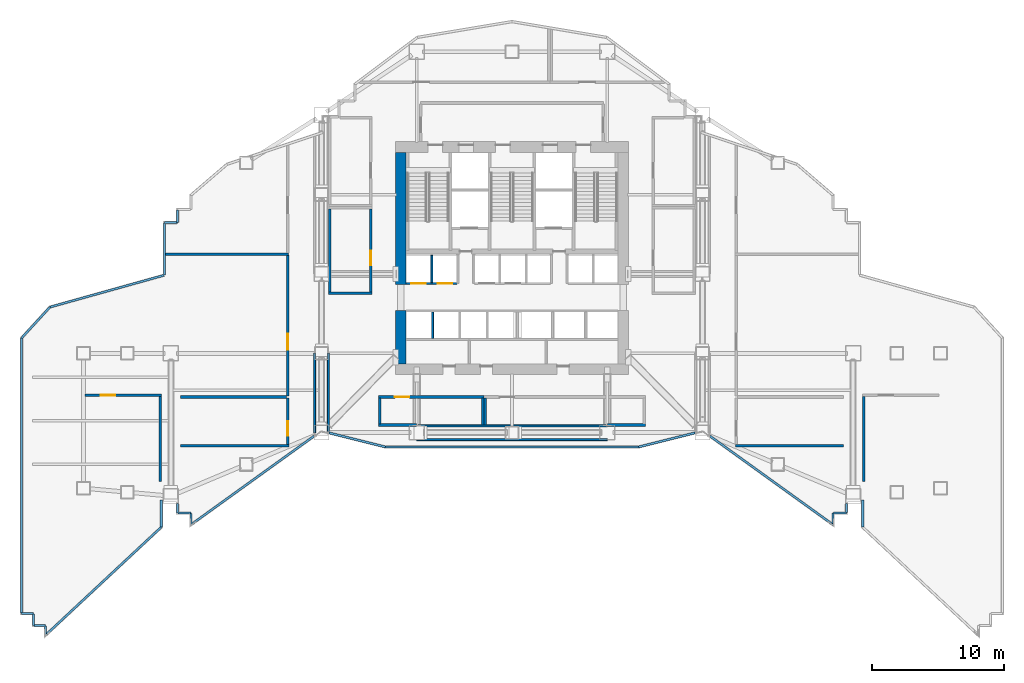
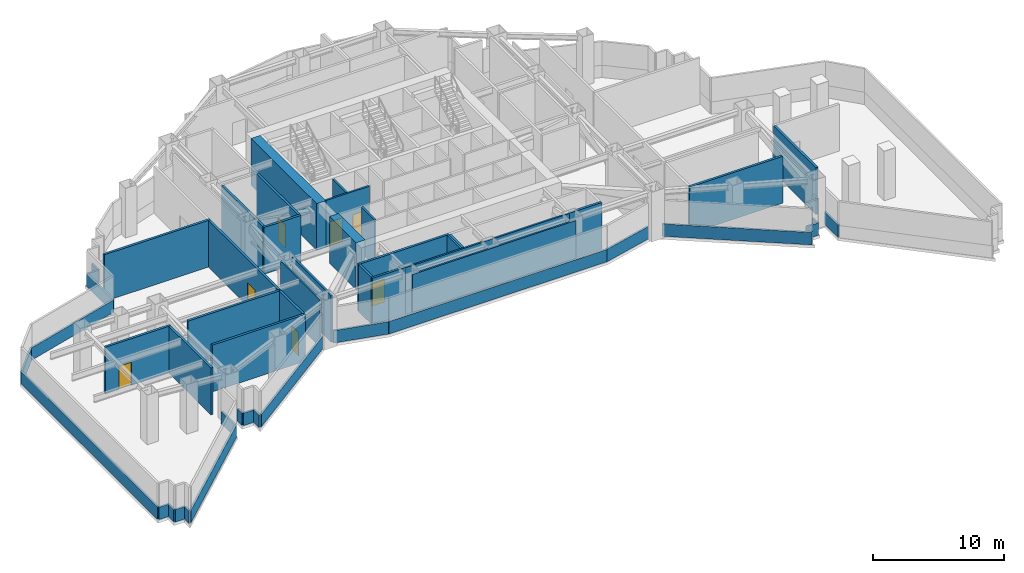
# One storey, part 13 of 23: 51 walls, 7 doors, 7 openings.
"""IFC4 building model written with IfcOpenShell, lengths in metres."""

from ifc_helpers import new_model, si_unit, direction, frame, frame_2d, origin, place, context, subcontext, project, spatial, rectangle, extrude, material, layer, layer_set, type_object, element, fill, save


model = new_model("IFC4")

# Units and contexts
model_context = context("Model", 3, precision=1e-05, world=origin(), true_north=direction((0.0, 1.0)))
body_context = subcontext(model_context, "Body", "Model", "MODEL_VIEW")
ifc_project = project(units=[si_unit("LENGTHUNIT", "METRE"), si_unit("AREAUNIT", "SQUARE_METRE"), si_unit("VOLUMEUNIT", "CUBIC_METRE"), si_unit("PLANEANGLEUNIT", "RADIAN"), si_unit("MASSUNIT", "GRAM", prefix="KILO")], contexts=[model_context])

# Site, building, storey
site_placement = place(None, origin())
site = spatial("IfcSite", under=ifc_project, at=site_placement, CompositionType="ELEMENT")
building_placement = place(site_placement, origin())
building = spatial("IfcBuilding", under=site, at=building_placement, Name="Haolan Belvedere Tower", CompositionType="ELEMENT")
storey_placement = place(building_placement, frame((0.0, 0.0, 89.39990234375)))
storey = spatial("IfcBuildingStorey", under=building, at=storey_placement, Name="L22", CompositionType="ELEMENT", Elevation=89.39990234375)

# Walls
ifc_material_1 = material(Name="Concrete C70/85", Category="concrete")
ifc_layer_1 = layer(ifc_material_1, 0.800048828125, Name="Concrete C70/85")
ifc_layer_set_1 = layer_set([ifc_layer_1], Name="Concrete C70/85")
wall_type_1 = type_object("IfcWallType", Name="WL-CORE-800", PredefinedType="SHEAR", material=ifc_layer_set_1)
wall_1_placement = place(storey_placement, frame((30.0, 26.800048828125, 0.0), z_axis=(0.0, 0.0, 1.0), x_axis=(0.0, 1.0, 0.0)))
element("IfcWall", 1, at=wall_1_placement, inside=storey, type_object=wall_type_1, Name="L22 central core shear wall WS", PredefinedType="SHEAR", context=body_context, shape_type="SweptSolid", body=[
    extrude(rectangle(XDim=4.050048828125, YDim=0.800048828125, at=frame_2d((2.02490234375, 0.0))), origin(), (0.0, 0.0, 1.0), 4.35009765625),
])
wall_2_placement = place(storey_placement, frame((30.0, 32.800048828125, 0.0), z_axis=(0.0, 0.0, 1.0), x_axis=(0.0, 1.0, 0.0)))
element("IfcWall", 2, at=wall_2_placement, inside=storey, type_object=wall_type_1, Name="L22 central core shear wall WN", PredefinedType="SHEAR", context=body_context, shape_type="SweptSolid", body=[
    extrude(rectangle(XDim=10.0, YDim=0.800048828125, at=frame_2d((5.0, 0.0))), origin(), (0.0, 0.0, 1.0), 4.35009765625),
])
ifc_material_2 = material(Name="Concrete C40/50", Category="concrete")
ifc_layer_2 = layer(ifc_material_2, 0.199951171875, Name="Concrete C40/50")
ifc_layer_set_2 = layer_set([ifc_layer_2], Name="Concrete C40/50")
wall_type_2 = type_object("IfcWallType", Name="WL-FIRE-200", PredefinedType="SOLIDWALL", material=ifc_layer_set_2)
wall_3_placement = place(storey_placement, frame((12.2119140625, 35.10009765625, 0.0), z_axis=(0.0, 0.0, 1.0), x_axis=(1.0, 0.0, 0.0)))
element("IfcWall", 3, at=wall_3_placement, inside=storey, type_object=wall_type_2, Name="L22 interior partition IW-L22-REF-W1-N", PredefinedType="SOLIDWALL", context=body_context, shape_type="SweptSolid", body=[
    extrude(rectangle(XDim=9.30810546875, YDim=0.199951171875, at=frame_2d((4.654052734375, 0.0))), origin(), (0.0, 0.0, 1.0), 4.35009765625),
])

# Wall, opening, door
wall_4_placement = place(storey_placement, frame((21.43994140625, 24.3701171875, 0.0), z_axis=(0.0, 0.0, 1.0), x_axis=(0.0, 1.0, 0.0)))
wall_4 = element("IfcWall", 4, at=wall_4_placement, inside=storey, type_object=wall_type_2, Name="L22 interior partition IW-L22-REF-W1-E", PredefinedType="SOLIDWALL", context=body_context, shape_type="SweptSolid", body=[
    extrude(rectangle(XDim=10.644775390625, YDim=0.199951171875, at=frame_2d((5.322265625, 0.0))), origin(), (0.0, 0.0, 1.0), 4.35009765625),
])
opening_1_placement = place(wall_4_placement, frame((4.699951171875, 0.0, 0.0), z_axis=(0.0, 0.0, 1.0), x_axis=(-1.0, 0.0, 0.0)))
opening_1 = element("IfcOpeningElement", 5, at=opening_1_placement, cuts=wall_4, Name="Opening FD-02", PredefinedType="OPENING", context=body_context, shape_type="SweptSolid", body=[
    extrude(rectangle(XDim=1.199951171875, YDim=2.14990234375, at=frame_2d((0.60009765625, 1.074951171875))), frame((0.0, 0.10986328125, 0.0), z_axis=(0.0, -1.0, 0.0), x_axis=(1.0, 0.0, 0.0)), (0.0, 0.0, 1.0), 0.219970703125),
])
ifc_material_3 = material(Name="Galvanised fire-rated steel", Category="steel")
door_type_1 = type_object("IfcDoorType", Name="DR-FD90-1200", OperationType="NOTDEFINED", PredefinedType="DOOR", material=ifc_material_3)
door_1_placement = place(opening_1_placement, origin())
door_1 = element("IfcDoor", 6, at=door_1_placement, inside=storey, type_object=door_type_1, Name="L22 door ID-L22-REF-W1", OperationType="SINGLE_SWING_LEFT", OverallHeight=2.14990234375, OverallWidth=1.199951171875, PredefinedType="DOOR", context=body_context, shape_type="SweptSolid", body=[
    extrude(rectangle(XDim=1.199951171875, YDim=2.14990234375, at=frame_2d((0.60009765625, 1.074951171875))), frame((0.0, 0.02490234375, 0.0), z_axis=(0.0, -1.0, 0.0), x_axis=(1.0, 0.0, 0.0)), (0.0, 0.0, 1.0), 0.050048828125),
])
fill(opening_1, door_1)

# Walls
wall_5_placement = place(storey_placement, frame((24.5400390625, 32.14990234375, 0.0), z_axis=(0.0, 0.0, 1.0), x_axis=(1.0, 0.0, 0.0)))
element("IfcWall", 7, at=wall_5_placement, inside=storey, type_object=wall_type_2, Name="L22 interior partition IW-L22-REF-WI1-S", PredefinedType="SOLIDWALL", context=body_context, shape_type="SweptSolid", body=[
    extrude(rectangle(XDim=3.260009765625, YDim=0.199951171875, at=frame_2d((1.6298828125, 0.0))), origin(), (0.0, 0.0, 1.0), 4.35009765625),
])
wall_6_placement = place(storey_placement, frame((24.6201171875, 32.235107421875, 0.0), z_axis=(0.0, 0.0, 1.0), x_axis=(0.0, 1.0, 0.0)))
element("IfcWall", 8, at=wall_6_placement, inside=storey, type_object=wall_type_2, Name="L22 interior partition IW-L22-REF-WI1-W", PredefinedType="SOLIDWALL", context=body_context, shape_type="SweptSolid", body=[
    extrude(rectangle(XDim=6.27978515625, YDim=0.199951171875, at=frame_2d((3.139892578125, 0.0))), origin(), (0.0, 0.0, 1.0), 4.35009765625),
])

# Wall, opening, door
wall_7_placement = place(storey_placement, frame((27.719970703125, 32.235107421875, 0.0), z_axis=(0.0, 0.0, 1.0), x_axis=(0.0, 1.0, 0.0)))
wall_7 = element("IfcWall", 9, at=wall_7_placement, inside=storey, type_object=wall_type_2, Name="L22 interior partition IW-L22-REF-WI1-E", PredefinedType="SOLIDWALL", context=body_context, shape_type="SweptSolid", body=[
    extrude(rectangle(XDim=6.27978515625, YDim=0.199951171875, at=frame_2d((3.139892578125, 0.0))), origin(), (0.0, 0.0, 1.0), 4.35009765625),
])
opening_2_placement = place(wall_7_placement, frame((3.135009765625, 0.0, 0.0), z_axis=(0.0, 0.0, 1.0), x_axis=(-1.0, 0.0, 0.0)))
opening_2 = element("IfcOpeningElement", 10, at=opening_2_placement, cuts=wall_7, Name="Opening FD-03", PredefinedType="OPENING", context=body_context, shape_type="SweptSolid", body=[
    extrude(rectangle(XDim=1.10009765625, YDim=2.14990234375, at=frame_2d((0.550048828125, 1.074951171875))), frame((0.0, 0.10986328125, 0.0), z_axis=(0.0, -1.0, 0.0), x_axis=(1.0, 0.0, 0.0)), (0.0, 0.0, 1.0), 0.219970703125),
])
door_type_2 = type_object("IfcDoorType", Name="DR-FD90-1100", OperationType="NOTDEFINED", PredefinedType="DOOR", material=ifc_material_3)
door_2_placement = place(opening_2_placement, origin())
door_2 = element("IfcDoor", 11, at=door_2_placement, inside=storey, type_object=door_type_2, Name="L22 door ID-L22-REF-WI1", OperationType="SINGLE_SWING_LEFT", OverallHeight=2.14990234375, OverallWidth=1.10009765625, PredefinedType="DOOR", context=body_context, shape_type="SweptSolid", body=[
    extrude(rectangle(XDim=1.10009765625, YDim=2.14990234375, at=frame_2d((0.550048828125, 1.074951171875))), frame((0.0, 0.02490234375, 0.0), z_axis=(0.0, -1.0, 0.0), x_axis=(1.0, 0.0, 0.0)), (0.0, 0.0, 1.0), 0.050048828125),
])
fill(opening_2, door_2)

wall_8_placement = place(storey_placement, frame((28.320068359375, 24.300048828125, 0.0), z_axis=(0.0, 0.0, 1.0), x_axis=(1.0, 0.0, 0.0)))
wall_8 = element("IfcWall", 12, at=wall_8_placement, inside=storey, type_object=wall_type_2, Name="L22 interior partition IW-L22-PLT-AHU-N", PredefinedType="SOLIDWALL", context=body_context, shape_type="SweptSolid", body=[
    extrude(rectangle(XDim=7.9599609375, YDim=0.199951171875, at=frame_2d((3.97998046875, 0.0))), origin(), (0.0, 0.0, 1.0), 4.35009765625),
])
opening_3_placement = place(wall_8_placement, frame((2.320556640625, 0.0, 0.0), z_axis=(0.0, 0.0, 1.0), x_axis=(-1.0, 0.0, 0.0)))
opening_3 = element("IfcOpeningElement", 13, at=opening_3_placement, cuts=wall_8, Name="Opening FD-03", PredefinedType="OPENING", context=body_context, shape_type="SweptSolid", body=[
    extrude(rectangle(XDim=1.10009765625, YDim=2.14990234375, at=frame_2d((0.550048828125, 1.074951171875))), frame((0.0, 0.10986328125, 0.0), z_axis=(0.0, -1.0, 0.0), x_axis=(1.0, 0.0, 0.0)), (0.0, 0.0, 1.0), 0.219970703125),
])
door_3_placement = place(opening_3_placement, origin())
door_3 = element("IfcDoor", 14, at=door_3_placement, inside=storey, type_object=door_type_2, Name="L22 door ID-L22-PLT-AHU", OperationType="SINGLE_SWING_LEFT", OverallHeight=2.14990234375, OverallWidth=1.10009765625, PredefinedType="DOOR", context=body_context, shape_type="SweptSolid", body=[
    extrude(rectangle(XDim=1.10009765625, YDim=2.14990234375, at=frame_2d((0.550048828125, 1.074951171875))), frame((0.0, 0.02490234375, 0.0), z_axis=(0.0, -1.0, 0.0), x_axis=(1.0, 0.0, 0.0)), (0.0, 0.0, 1.0), 0.050048828125),
])
fill(opening_3, door_3)

# Walls
wall_9_placement = place(storey_placement, frame((28.320068359375, 22.179931640625, 0.0), z_axis=(0.0, 0.0, 1.0), x_axis=(1.0, 0.0, 0.0)))
element("IfcWall", 15, at=wall_9_placement, inside=storey, type_object=wall_type_2, Name="L22 interior partition IW-L22-PLT-AHU-S", PredefinedType="SOLIDWALL", context=body_context, shape_type="SweptSolid", body=[
    extrude(rectangle(XDim=2.8779296875, YDim=0.199951171875, at=frame_2d((1.43896484375, 0.0))), origin(), (0.0, 0.0, 1.0), 4.35009765625),
])
wall_10_placement = place(storey_placement, frame((28.39990234375, 22.264892578125, 0.0), z_axis=(0.0, 0.0, 1.0), x_axis=(0.0, 1.0, 0.0)))
element("IfcWall", 16, at=wall_10_placement, inside=storey, type_object=wall_type_2, Name="L22 interior partition IW-L22-PLT-AHU-W", PredefinedType="SOLIDWALL", context=body_context, shape_type="SweptSolid", body=[
    extrude(rectangle(XDim=1.9501953125, YDim=0.199951171875, at=frame_2d((0.97509765625, 0.0))), origin(), (0.0, 0.0, 1.0), 4.35009765625),
])
wall_11_placement = place(storey_placement, frame((36.199951171875, 22.179931640625, 0.0), z_axis=(0.0, 0.0, 1.0), x_axis=(0.0, 1.0, 0.0)))
element("IfcWall", 17, at=wall_11_placement, inside=storey, type_object=wall_type_2, Name="L22 interior partition IW-L22-PLT-AHU-E", PredefinedType="SOLIDWALL", context=body_context, shape_type="SweptSolid", body=[
    extrude(rectangle(XDim=2.03515625, YDim=0.199951171875, at=frame_2d((1.017578125, 0.0))), origin(), (0.0, 0.0, 1.0), 4.35009765625),
])
wall_12_placement = place(storey_placement, frame((45.60205078125, 22.179931640625, 0.0), z_axis=(0.0, 0.0, 1.0), x_axis=(1.0, 0.0, 0.0)))
element("IfcWall", 18, at=wall_12_placement, inside=storey, type_object=wall_type_2, Name="L22 interior partition IW-L22-PLT-CHW-S", PredefinedType="SOLIDWALL", context=body_context, shape_type="SweptSolid", body=[
    extrude(rectangle(XDim=2.8779296875, YDim=0.199951171875, at=frame_2d((1.43896484375, 0.0))), origin(), (0.0, 0.0, 1.0), 4.35009765625),
])
wall_13_placement = place(storey_placement, frame((36.360107421875, 22.179931640625, 0.0), z_axis=(0.0, 0.0, 1.0), x_axis=(0.0, 1.0, 0.0)))
element("IfcWall", 19, at=wall_13_placement, inside=storey, type_object=wall_type_2, Name="L22 interior partition IW-L22-PLT-CHW-W", PredefinedType="SOLIDWALL", context=body_context, shape_type="SweptSolid", body=[
    extrude(rectangle(XDim=2.03515625, YDim=0.199951171875, at=frame_2d((1.017578125, 0.0))), origin(), (0.0, 0.0, 1.0), 4.35009765625),
])
wall_14_placement = place(storey_placement, frame((13.320068359375, 24.2900390625, 0.0), z_axis=(0.0, 0.0, 1.0), x_axis=(1.0, 0.0, 0.0)))
element("IfcWall", 20, at=wall_14_placement, inside=storey, type_object=wall_type_2, Name="L22 interior partition IW-L22-PLT-SUB-N", PredefinedType="SOLIDWALL", context=body_context, shape_type="SweptSolid", body=[
    extrude(rectangle(XDim=8.034912109375, YDim=0.199951171875, at=frame_2d((4.017578125, 0.0))), origin(), (0.0, 0.0, 1.0), 4.35009765625),
])
wall_15_placement = place(storey_placement, frame((13.320068359375, 20.60009765625, 0.0), z_axis=(0.0, 0.0, 1.0), x_axis=(1.0, 0.0, 0.0)))
element("IfcWall", 21, at=wall_15_placement, inside=storey, type_object=wall_type_2, Name="L22 interior partition IW-L22-PLT-SUB-S", PredefinedType="SOLIDWALL", context=body_context, shape_type="SweptSolid", body=[
    extrude(rectangle(XDim=8.199951171875, YDim=0.199951171875, at=frame_2d((4.10009765625, 0.0))), origin(), (0.0, 0.0, 1.0), 4.35009765625),
])

# Wall, opening, door
wall_16_placement = place(storey_placement, frame((21.43994140625, 20.68505859375, 0.0), z_axis=(0.0, 0.0, 1.0), x_axis=(0.0, 1.0, 0.0)))
wall_16 = element("IfcWall", 22, at=wall_16_placement, inside=storey, type_object=wall_type_2, Name="L22 interior partition IW-L22-PLT-SUB-E", PredefinedType="SOLIDWALL", context=body_context, shape_type="SweptSolid", body=[
    extrude(rectangle(XDim=3.52001953125, YDim=0.199951171875, at=frame_2d((1.760009765625, 0.0))), origin(), (0.0, 0.0, 1.0), 4.35009765625),
])
opening_4_placement = place(wall_16_placement, frame((1.78515625, 0.0, 0.0), z_axis=(0.0, 0.0, 1.0), x_axis=(-1.0, 0.0, 0.0)))
opening_4 = element("IfcOpeningElement", 23, at=opening_4_placement, cuts=wall_16, Name="Opening FD-03", PredefinedType="OPENING", context=body_context, shape_type="SweptSolid", body=[
    extrude(rectangle(XDim=1.10009765625, YDim=2.14990234375, at=frame_2d((0.550048828125, 1.074951171875))), frame((0.0, 0.10986328125, 0.0), z_axis=(0.0, -1.0, 0.0), x_axis=(1.0, 0.0, 0.0)), (0.0, 0.0, 1.0), 0.219970703125),
])
door_4_placement = place(opening_4_placement, origin())
door_4 = element("IfcDoor", 24, at=door_4_placement, inside=storey, type_object=door_type_2, Name="L22 door ID-L22-PLT-SUB", OperationType="SINGLE_SWING_RIGHT", OverallHeight=2.14990234375, OverallWidth=1.10009765625, PredefinedType="DOOR", context=body_context, shape_type="SweptSolid", body=[
    extrude(rectangle(XDim=1.10009765625, YDim=2.14990234375, at=frame_2d((0.550048828125, 1.074951171875))), frame((0.0, 0.02490234375, 0.0), z_axis=(0.0, -1.0, 0.0), x_axis=(1.0, 0.0, 0.0)), (0.0, 0.0, 1.0), 0.050048828125),
])
fill(opening_4, door_4)

# Wall
wall_17_placement = place(storey_placement, frame((55.280029296875, 20.60009765625, 0.0), z_axis=(0.0, 0.0, 1.0), x_axis=(1.0, 0.0, 0.0)))
element("IfcWall", 25, at=wall_17_placement, inside=storey, type_object=wall_type_2, Name="L22 interior partition IW-L22-PLT-TNK-S", PredefinedType="SOLIDWALL", context=body_context, shape_type="SweptSolid", body=[
    extrude(rectangle(XDim=8.199951171875, YDim=0.199951171875, at=frame_2d((4.10009765625, 0.0))), origin(), (0.0, 0.0, 1.0), 4.35009765625),
])

# Wall, opening, door
wall_18_placement = place(storey_placement, frame((6.1201171875, 24.429931640625, 0.0), z_axis=(0.0, 0.0, 1.0), x_axis=(1.0, 0.0, 0.0)))
wall_18 = element("IfcWall", 26, at=wall_18_placement, inside=storey, type_object=wall_type_2, Name="L22 interior partition IW-L22-REF-WT1-N", PredefinedType="SOLIDWALL", context=body_context, shape_type="SweptSolid", body=[
    extrude(rectangle(XDim=5.759765625, YDim=0.199951171875, at=frame_2d((2.8798828125, 0.0))), origin(), (0.0, 0.0, 1.0), 4.35009765625),
])
opening_5_placement = place(wall_18_placement, frame((2.300048828125, 0.0, 0.0), z_axis=(0.0, 0.0, 1.0), x_axis=(-1.0, 0.0, 0.0)))
opening_5 = element("IfcOpeningElement", 27, at=opening_5_placement, cuts=wall_18, Name="Opening FD-03", PredefinedType="OPENING", context=body_context, shape_type="SweptSolid", body=[
    extrude(rectangle(XDim=1.10009765625, YDim=2.14990234375, at=frame_2d((0.550048828125, 1.074951171875))), frame((0.0, 0.10986328125, 0.0), z_axis=(0.0, -1.0, 0.0), x_axis=(1.0, 0.0, 0.0)), (0.0, 0.0, 1.0), 0.219970703125),
])
door_5_placement = place(opening_5_placement, origin())
door_5 = element("IfcDoor", 28, at=door_5_placement, inside=storey, type_object=door_type_2, Name="L22 door ID-L22-REF-WT1", OperationType="SINGLE_SWING_LEFT", OverallHeight=2.14990234375, OverallWidth=1.10009765625, PredefinedType="DOOR", context=body_context, shape_type="SweptSolid", body=[
    extrude(rectangle(XDim=1.10009765625, YDim=2.14990234375, at=frame_2d((0.550048828125, 1.074951171875))), frame((0.0, 0.02490234375, 0.0), z_axis=(0.0, -1.0, 0.0), x_axis=(1.0, 0.0, 0.0)), (0.0, 0.0, 1.0), 0.050048828125),
])
fill(opening_5, door_5)

# Walls
for number, where, z_axis, x_axis, name in (
    (29, (11.800048828125, 17.919921875, 0.0), (0.0, 0.0, 1.0), (0.0, 1.0, 0.0), "L22 interior partition IW-L22-REF-WT1-E"),
    (30, (65.0, 17.919921875, 0.0), (0.0, 0.0, 1.0), (0.0, 1.0, 0.0), "L22 interior partition IW-L22-REF-ET5-W"),
):
    element("IfcWall", number, at=place(storey_placement, frame(where, z_axis=z_axis, x_axis=x_axis)), inside=storey, type_object=wall_type_2, Name=name, PredefinedType="SOLIDWALL", context=body_context, shape_type="SweptSolid", body=[
        extrude(rectangle(XDim=6.425048828125, YDim=0.199951171875, at=frame_2d((3.21240234375, 0.0))), origin(), (0.0, 0.0, 1.0), 4.35009765625),
    ])
ifc_material_4 = material(Name="Precast concrete C40/50", Category="concrete")
ifc_layer_3 = layer(ifc_material_4, 0.159912109375, Name="Precast concrete C40/50")
ifc_layer_set_3 = layer_set([ifc_layer_3], Name="Precast concrete C40/50")
wall_type_3 = type_object("IfcWallType", Name="WL-PAR-160", PredefinedType="PARAPET", material=ifc_layer_set_3)
wall_19_placement = place(storey_placement, frame((1.320068359375, 7.919921875, 0.0), z_axis=(0.0, 0.0, 1.0), x_axis=(1.0, 0.0, 0.0)))
element("IfcWall", 31, at=wall_19_placement, inside=storey, type_object=wall_type_3, Name="L22 refuge open-band parapet 1.1", PredefinedType="PARAPET", context=body_context, shape_type="SweptSolid", body=[
    extrude(rectangle(XDim=0.89990234375, YDim=0.159912109375, at=frame_2d((0.449951171875, 0.0))), origin(), (0.0, 0.0, 1.0), 1.150146484375),
])
wall_20_placement = place(storey_placement, frame((2.219970703125, 7.889892578125, 0.0), z_axis=(0.0, 0.0, 1.0), x_axis=(0.0, -1.0, 0.0)))
element("IfcWall", 32, at=wall_20_placement, inside=storey, type_object=wall_type_3, Name="L22 refuge open-band parapet 2.1", PredefinedType="PARAPET", context=body_context, shape_type="SweptSolid", body=[
    extrude(rectangle(XDim=0.869873046875, YDim=0.159912109375, at=frame_2d((0.43505859375, 0.0))), origin(), (0.0, 0.0, 1.0), 1.150146484375),
])
wall_21_placement = place(storey_placement, frame((2.25, 7.02001953125, 0.0), z_axis=(0.0, 0.0, 1.0), x_axis=(1.0, 0.0, 0.0)))
element("IfcWall", 33, at=wall_21_placement, inside=storey, type_object=wall_type_3, Name="L22 refuge open-band parapet 3.1", PredefinedType="PARAPET", context=body_context, shape_type="SweptSolid", body=[
    extrude(rectangle(XDim=0.8701171875, YDim=0.159912109375, at=frame_2d((0.43505859375, 0.0))), origin(), (0.0, 0.0, 1.0), 1.150146484375),
])
wall_22_placement = place(storey_placement, frame((3.1201171875, 6.989990234375, 0.0), z_axis=(0.0, 0.0, 1.0), x_axis=(0.0, -1.0, 0.0)))
element("IfcWall", 34, at=wall_22_placement, inside=storey, type_object=wall_type_3, Name="L22 refuge open-band parapet 4.1", PredefinedType="PARAPET", context=body_context, shape_type="SweptSolid", body=[
    extrude(rectangle(XDim=0.7138671875, YDim=0.159912109375, at=frame_2d((0.35693359375, 0.0))), origin(), (0.0, 0.0, 1.0), 1.150146484375),
])
wall_23_placement = place(storey_placement, frame((3.207763671875, 6.35791015625, 0.0), z_axis=(0.0, 0.0, 1.0), x_axis=(0.731044317888, 0.682329982694, 0.0)))
element("IfcWall", 35, at=wall_23_placement, inside=storey, type_object=wall_type_3, Name="L22 refuge open-band parapet 5.1", PredefinedType="PARAPET", context=body_context, shape_type="SweptSolid", body=[
    extrude(rectangle(XDim=11.862548828125, YDim=0.159912109375, at=frame_2d((5.93115234375, 0.0))), origin(), (0.0, 0.0, 1.0), 1.150146484375),
])
wall_24_placement = place(storey_placement, frame((11.8798828125, 14.4521484375, 0.0), z_axis=(0.0, 0.0, 1.0), x_axis=(0.0, 1.0, 0.0)))
element("IfcWall", 36, at=wall_24_placement, inside=storey, type_object=wall_type_3, Name="L22 refuge open-band parapet 6.1", PredefinedType="PARAPET", context=body_context, shape_type="SweptSolid", body=[
    extrude(rectangle(XDim=2.06787109375, YDim=0.159912109375, at=frame_2d((1.033935546875, 0.0))), origin(), (0.0, 0.0, 1.0), 1.150146484375),
])
wall_25_placement = place(storey_placement, frame((13.1201171875, 16.23291015625, 0.0), z_axis=(0.0, 0.0, 1.0), x_axis=(0.0, -1.0, 0.0)))
element("IfcWall", 37, at=wall_25_placement, inside=storey, type_object=wall_type_3, Name="L22 refuge open-band parapet 8.1", PredefinedType="PARAPET", context=body_context, shape_type="SweptSolid", body=[
    extrude(rectangle(XDim=0.712890625, YDim=0.159912109375, at=frame_2d((0.3564453125, 0.0))), origin(), (0.0, 0.0, 1.0), 1.150146484375),
])
wall_26_placement = place(storey_placement, frame((13.14990234375, 15.52001953125, 0.0), z_axis=(0.0, 0.0, 1.0), x_axis=(1.0, 0.0, 0.0)))
element("IfcWall", 38, at=wall_26_placement, inside=storey, type_object=wall_type_3, Name="L22 refuge open-band parapet 9.1", PredefinedType="PARAPET", context=body_context, shape_type="SweptSolid", body=[
    extrude(rectangle(XDim=0.97021484375, YDim=0.159912109375, at=frame_2d((0.485107421875, 0.0))), origin(), (0.0, 0.0, 1.0), 1.150146484375),
])
wall_27_placement = place(storey_placement, frame((14.1201171875, 15.489990234375, 0.0), z_axis=(0.0, 0.0, 1.0), x_axis=(0.0, -1.0, 0.0)))
element("IfcWall", 39, at=wall_27_placement, inside=storey, type_object=wall_type_3, Name="L22 refuge open-band parapet 10.1", PredefinedType="PARAPET", context=body_context, shape_type="SweptSolid", body=[
    extrude(rectangle(XDim=0.855712890625, YDim=0.159912109375, at=frame_2d((0.427734375, 0.0))), origin(), (0.0, 0.0, 1.0), 1.150146484375),
])
wall_28_placement = place(storey_placement, frame((14.193115234375, 14.68701171875, 0.0), z_axis=(0.0, 0.0, 1.0), x_axis=(0.811542882303, 0.584292863368, 0.0)))
element("IfcWall", 40, at=wall_28_placement, inside=storey, type_object=wall_type_3, Name="L22 refuge open-band parapet 11.1", PredefinedType="PARAPET", context=body_context, shape_type="SweptSolid", body=[
    extrude(rectangle(XDim=11.3857421875, YDim=0.159912109375, at=frame_2d((5.69287109375, 0.0))), origin(), (0.0, 0.0, 1.0), 1.150146484375),
])
wall_29_placement = place(storey_placement, frame((24.56689453125, 21.581787109375, 0.0), z_axis=(0.0, 0.0, 1.0), x_axis=(0.970152339186, -0.242496265482, 0.0)))
element("IfcWall", 41, at=wall_29_placement, inside=storey, type_object=wall_type_3, Name="L22 refuge open-band parapet 12.1", PredefinedType="PARAPET", context=body_context, shape_type="SweptSolid", body=[
    extrude(rectangle(XDim=4.37841796875, YDim=0.159912109375, at=frame_2d((2.189208984375, 0.0))), origin(), (0.0, 0.0, 1.0), 1.150146484375),
])
wall_30_placement = place(storey_placement, frame((28.814697265625, 20.52001953125, 0.0), z_axis=(0.0, 0.0, 1.0), x_axis=(1.0, 0.0, 0.0)))
element("IfcWall", 42, at=wall_30_placement, inside=storey, type_object=wall_type_3, Name="L22 refuge open-band parapet 13.1", PredefinedType="PARAPET", context=body_context, shape_type="SweptSolid", body=[
    extrude(rectangle(XDim=19.17041015625, YDim=0.159912109375, at=frame_2d((9.585205078125, 0.0))), origin(), (0.0, 0.0, 1.0), 1.150146484375),
])
wall_31_placement = place(storey_placement, frame((47.985107421875, 20.52001953125, 0.0), z_axis=(0.0, 0.0, 1.0), x_axis=(0.970152339186, 0.242496265482, 0.0)))
element("IfcWall", 43, at=wall_31_placement, inside=storey, type_object=wall_type_3, Name="L22 refuge open-band parapet 14.1", PredefinedType="PARAPET", context=body_context, shape_type="SweptSolid", body=[
    extrude(rectangle(XDim=4.37841796875, YDim=0.159912109375, at=frame_2d((2.189208984375, 0.0))), origin(), (0.0, 0.0, 1.0), 1.150146484375),
])
wall_32_placement = place(storey_placement, frame((53.366943359375, 21.339599609375, 0.0), z_axis=(0.0, 0.0, 1.0), x_axis=(0.811535552009, -0.584303044511, 0.0)))
element("IfcWall", 44, at=wall_32_placement, inside=storey, type_object=wall_type_3, Name="L22 refuge open-band parapet 15.1", PredefinedType="PARAPET", context=body_context, shape_type="SweptSolid", body=[
    extrude(rectangle(XDim=11.475830078125, YDim=0.159912109375, at=frame_2d((5.73779296875, 0.0))), origin(), (0.0, 0.0, 1.0), 1.150146484375),
])
wall_33_placement = place(storey_placement, frame((62.679931640625, 14.724365234375, 0.0), z_axis=(0.0, 0.0, 1.0), x_axis=(0.0, 1.0, 0.0)))
element("IfcWall", 45, at=wall_33_placement, inside=storey, type_object=wall_type_3, Name="L22 refuge open-band parapet 16.1", PredefinedType="PARAPET", context=body_context, shape_type="SweptSolid", body=[
    extrude(rectangle(XDim=0.795654296875, YDim=0.159912109375, at=frame_2d((0.39794921875, 0.0))), origin(), (0.0, 0.0, 1.0), 1.150146484375),
])
wall_34_placement = place(storey_placement, frame((62.7099609375, 15.52001953125, 0.0), z_axis=(0.0, 0.0, 1.0), x_axis=(1.0, 0.0, 0.0)))
element("IfcWall", 46, at=wall_34_placement, inside=storey, type_object=wall_type_3, Name="L22 refuge open-band parapet 17.1", PredefinedType="PARAPET", context=body_context, shape_type="SweptSolid", body=[
    extrude(rectangle(XDim=0.969970703125, YDim=0.159912109375, at=frame_2d((0.48486328125, 0.0))), origin(), (0.0, 0.0, 1.0), 1.150146484375),
])
wall_35_placement = place(storey_placement, frame((63.679931640625, 15.550048828125, 0.0), z_axis=(0.0, 0.0, 1.0), x_axis=(0.0, 1.0, 0.0)))
element("IfcWall", 47, at=wall_35_placement, inside=storey, type_object=wall_type_3, Name="L22 refuge open-band parapet 18.1", PredefinedType="PARAPET", context=body_context, shape_type="SweptSolid", body=[
    extrude(rectangle(XDim=0.682861328125, YDim=0.159912109375, at=frame_2d((0.34130859375, 0.0))), origin(), (0.0, 0.0, 1.0), 1.150146484375),
])
wall_36_placement = place(storey_placement, frame((64.919921875, 16.52001953125, 0.0), z_axis=(0.0, 0.0, 1.0), x_axis=(0.0, -1.0, 0.0)))
element("IfcWall", 48, at=wall_36_placement, inside=storey, type_object=wall_type_3, Name="L22 refuge open-band parapet 20.1", PredefinedType="PARAPET", context=body_context, shape_type="SweptSolid", body=[
    extrude(rectangle(XDim=2.06787109375, YDim=0.159912109375, at=frame_2d((1.033935546875, 0.0))), origin(), (0.0, 0.0, 1.0), 1.150146484375),
])
for number, where, z_axis, x_axis, name in (
    (49, (13.1201171875, 38.449951171875, 0.0), (0.0, 0.0, 1.0), (0.0, -1.0, 0.0), "L22 refuge open-band parapet 54.1"),
    (50, (13.090087890625, 37.47998046875, 0.0), (0.0, 0.0, 1.0), (-1.0, 0.0, 0.0), "L22 refuge open-band parapet 55.1"),
):
    element("IfcWall", number, at=place(storey_placement, frame(where, z_axis=z_axis, x_axis=x_axis)), inside=storey, type_object=wall_type_3, Name=name, PredefinedType="PARAPET", context=body_context, shape_type="SweptSolid", body=[
        extrude(rectangle(XDim=0.969970703125, YDim=0.159912109375, at=frame_2d((0.48486328125, 0.0))), origin(), (0.0, 0.0, 1.0), 1.150146484375),
    ])
wall_37_placement = place(storey_placement, frame((12.1201171875, 37.449951171875, 0.0), z_axis=(0.0, 0.0, 1.0), x_axis=(0.0, -1.0, 0.0)))
element("IfcWall", 51, at=wall_37_placement, inside=storey, type_object=wall_type_3, Name="L22 refuge open-band parapet 56.1", PredefinedType="PARAPET", context=body_context, shape_type="SweptSolid", body=[
    extrude(rectangle(XDim=3.941162109375, YDim=0.159912109375, at=frame_2d((1.970703125, 0.0))), origin(), (0.0, 0.0, 1.0), 1.150146484375),
])
wall_38_placement = place(storey_placement, frame((12.091064453125, 33.500732421875, 0.0), z_axis=(0.0, 0.0, 1.0), x_axis=(-0.963194988148, -0.26880367335, 0.0)))
element("IfcWall", 52, at=wall_38_placement, inside=storey, type_object=wall_type_3, Name="L22 refuge open-band parapet 57.1", PredefinedType="PARAPET", context=body_context, shape_type="SweptSolid", body=[
    extrude(rectangle(XDim=8.955322265625, YDim=0.159912109375, at=frame_2d((4.4775390625, 0.0))), origin(), (0.0, 0.0, 1.0), 1.150146484375),
])
wall_39_placement = place(storey_placement, frame((3.46533203125, 31.093505859375, 0.0), z_axis=(0.0, 0.0, 1.0), x_axis=(-0.675755969938, -0.737125409339, 0.0)))
element("IfcWall", 53, at=wall_39_placement, inside=storey, type_object=wall_type_3, Name="L22 refuge open-band parapet 58.1", PredefinedType="PARAPET", context=body_context, shape_type="SweptSolid", body=[
    extrude(rectangle(XDim=3.174560546875, YDim=0.159912109375, at=frame_2d((1.58740234375, 0.0))), origin(), (0.0, 0.0, 1.0), 1.150146484375),
])
wall_40_placement = place(storey_placement, frame((1.320068359375, 28.75341796875, 0.0), z_axis=(0.0, 0.0, 1.0), x_axis=(0.0, -1.0, 0.0)))
element("IfcWall", 54, at=wall_40_placement, inside=storey, type_object=wall_type_3, Name="L22 refuge open-band parapet 59.1", PredefinedType="PARAPET", context=body_context, shape_type="SweptSolid", body=[
    extrude(rectangle(XDim=20.803466796875, YDim=0.159912109375, at=frame_2d((10.40185546875, 0.0))), origin(), (0.0, 0.0, 1.0), 1.150146484375),
])
ifc_material_5 = material(Name="Double gypsum acoustic stud partition", Category="masonry")
ifc_layer_4 = layer(ifc_material_5, 0.14990234375, Name="Double gypsum acoustic stud partition")
ifc_layer_set_4 = layer_set([ifc_layer_4], Name="Double gypsum acoustic stud partition")
wall_type_4 = type_object("IfcWallType", Name="WL-PART-150", PredefinedType="PARTITIONING", material=ifc_layer_set_4)
wall_41_placement = place(storey_placement, frame((24.52001953125, 21.6884765625, 0.0), z_axis=(0.0, 0.0, 1.0), x_axis=(0.0, 1.0, 0.0)))
element("IfcWall", 55, at=wall_41_placement, inside=storey, type_object=wall_type_4, Name="L22 interior partition IW-L22-CH-BTW1-1", PredefinedType="PARTITIONING", context=body_context, shape_type="SweptSolid", body=[
    extrude(rectangle(XDim=5.91162109375, YDim=0.14990234375, at=frame_2d((2.955810546875, 0.0))), origin(), (0.0, 0.0, 1.0), 4.35009765625),
])
wall_42_placement = place(storey_placement, frame((23.47998046875, 21.60009765625, 0.0), z_axis=(0.0, 0.0, 1.0), x_axis=(0.0, 1.0, 0.0)))
element("IfcWall", 56, at=wall_42_placement, inside=storey, type_object=wall_type_4, Name="L22 interior partition IW-L22-CH-BTW1-2", PredefinedType="PARTITIONING", context=body_context, shape_type="SweptSolid", body=[
    extrude(rectangle(XDim=6.0, YDim=0.14990234375, at=frame_2d((3.0, 0.0))), origin(), (0.0, 0.0, 1.0), 4.35009765625),
])
for number, where, z_axis, x_axis, name in (
    (57, (31.199951171875, 21.080078125, 0.0), (0.0, 0.0, 1.0), (1.0, 0.0, 0.0), "L22 interior partition IW-L22-CH-BTS-1"),
    (58, (31.199951171875, 22.1201171875, 0.0), (0.0, 0.0, 1.0), (1.0, 0.0, 0.0), "L22 interior partition IW-L22-CH-BTS-2"),
):
    element("IfcWall", number, at=place(storey_placement, frame(where, z_axis=z_axis, x_axis=x_axis)), inside=storey, type_object=wall_type_4, Name=name, PredefinedType="PARTITIONING", context=body_context, shape_type="SweptSolid", body=[
        extrude(rectangle(XDim=14.400146484375, YDim=0.14990234375, at=frame_2d((7.2001953125, 0.0))), origin(), (0.0, 0.0, 1.0), 4.35009765625),
    ])

# Wall, openings, doors
ifc_material_6 = material(Name="Gypsum fire shaftwall assembly", Category="masonry")
ifc_layer_5 = layer(ifc_material_6, 0.1650390625, Name="Gypsum fire shaftwall assembly")
ifc_layer_set_5 = layer_set([ifc_layer_5], Name="Gypsum fire shaftwall assembly")
wall_type_5 = type_object("IfcWallType", Name="WL-SHAFT-160", PredefinedType="SOLIDWALL", material=ifc_layer_set_5)
wall_43_placement = place(storey_placement, frame((30.39990234375, 32.8798828125, 0.0), z_axis=(0.0, 0.0, 1.0), x_axis=(1.0, 0.0, 0.0)))
wall_43 = element("IfcWall", 59, at=wall_43_placement, inside=storey, type_object=wall_type_5, Name="L22 interior partition IW-L22-ROW-PN1", PredefinedType="SOLIDWALL", context=body_context, shape_type="SweptSolid", body=[
    extrude(rectangle(XDim=3.85009765625, YDim=0.159912109375, at=frame_2d((1.925048828125, 0.0))), origin(), (0.0, 0.0, 1.0), 4.35009765625),
])
opening_6_placement = place(wall_43_placement, frame((1.47998046875, 0.0, 0.0), z_axis=(0.0, 0.0, 1.0), x_axis=(-1.0, 0.0, 0.0)))
opening_6 = element("IfcOpeningElement", 60, at=opening_6_placement, cuts=wall_43, Name="Opening LD-01", PredefinedType="OPENING", context=body_context, shape_type="SweptSolid", body=[
    extrude(rectangle(XDim=1.10009765625, YDim=2.199951171875, at=frame_2d((0.550048828125, 1.10009765625))), frame((0.0, 0.08984375, 0.0), z_axis=(0.0, -1.0, 0.0), x_axis=(1.0, 0.0, 0.0)), (0.0, 0.0, 1.0), 0.179931640625),
])
opening_7_placement = place(wall_43_placement, frame((3.47021484375, 0.0, 0.0), z_axis=(0.0, 0.0, 1.0), x_axis=(-1.0, 0.0, 0.0)))
opening_7 = element("IfcOpeningElement", 61, at=opening_7_placement, cuts=wall_43, Name="Opening LD-01", PredefinedType="OPENING", context=body_context, shape_type="SweptSolid", body=[
    extrude(rectangle(XDim=1.10009765625, YDim=2.199951171875, at=frame_2d((0.550048828125, 1.10009765625))), frame((0.0, 0.08984375, 0.0), z_axis=(0.0, -1.0, 0.0), x_axis=(1.0, 0.0, 0.0)), (0.0, 0.0, 1.0), 0.179931640625),
])
ifc_material_7 = material(Name="Brushed champagne stainless steel 316L", Category="steel")
door_type_3 = type_object("IfcDoorType", Name="DR-LIFT-1100", OperationType="SLIDING_TO_LEFT", PredefinedType="DOOR", material=ifc_material_7)
door_6_placement = place(opening_6_placement, origin())
door_6 = element("IfcDoor", 62, at=door_6_placement, inside=storey, type_object=door_type_3, Name="L22 door ID-L22-LD-PL1", OperationType="SLIDING_TO_LEFT", OverallHeight=2.199951171875, OverallWidth=1.10009765625, PredefinedType="DOOR", context=body_context, shape_type="SweptSolid", body=[
    extrude(rectangle(XDim=1.10009765625, YDim=2.199951171875, at=frame_2d((0.550048828125, 1.10009765625))), frame((0.0, 0.02490234375, 0.0), z_axis=(0.0, -1.0, 0.0), x_axis=(1.0, 0.0, 0.0)), (0.0, 0.0, 1.0), 0.050048828125),
])
fill(opening_6, door_6)
door_7_placement = place(opening_7_placement, origin())
door_7 = element("IfcDoor", 63, at=door_7_placement, inside=storey, type_object=door_type_3, Name="L22 door ID-L22-LD-PL2", OperationType="SLIDING_TO_LEFT", OverallHeight=2.199951171875, OverallWidth=1.10009765625, PredefinedType="DOOR", context=body_context, shape_type="SweptSolid", body=[
    extrude(rectangle(XDim=1.10009765625, YDim=2.199951171875, at=frame_2d((0.550048828125, 1.10009765625))), frame((0.0, 0.02490234375, 0.0), z_axis=(0.0, -1.0, 0.0), x_axis=(1.0, 0.0, 0.0)), (0.0, 0.0, 1.0), 0.050048828125),
])
fill(opening_7, door_7)

# Walls
wall_44_placement = place(storey_placement, frame((32.340087890625, 32.949951171875, 0.0), z_axis=(0.0, 0.0, 1.0), x_axis=(0.0, 1.0, 0.0)))
element("IfcWall", 64, at=wall_44_placement, inside=storey, type_object=wall_type_5, Name="L22 interior partition IW-L22-DIV-PL1", PredefinedType="SOLIDWALL", context=body_context, shape_type="SweptSolid", body=[
    extrude(rectangle(XDim=2.050048828125, YDim=0.14990234375, at=frame_2d((1.02490234375, 0.0))), origin(), (0.0, 0.0, 1.0), 4.35009765625),
])
wall_45_placement = place(storey_placement, frame((32.39990234375, 28.735107421875, 0.0), z_axis=(0.0, 0.0, 1.0), x_axis=(0.0, 1.0, 0.0)))
element("IfcWall", 65, at=wall_45_placement, inside=storey, type_object=wall_type_5, Name="L22 interior partition IW-L22-DIV-PM1", PredefinedType="SOLIDWALL", context=body_context, shape_type="SweptSolid", body=[
    extrude(rectangle(XDim=1.98486328125, YDim=0.14990234375, at=frame_2d((0.992431640625, 0.0))), origin(), (0.0, 0.0, 1.0), 4.35009765625),
])

save(model, "model.ifc")
